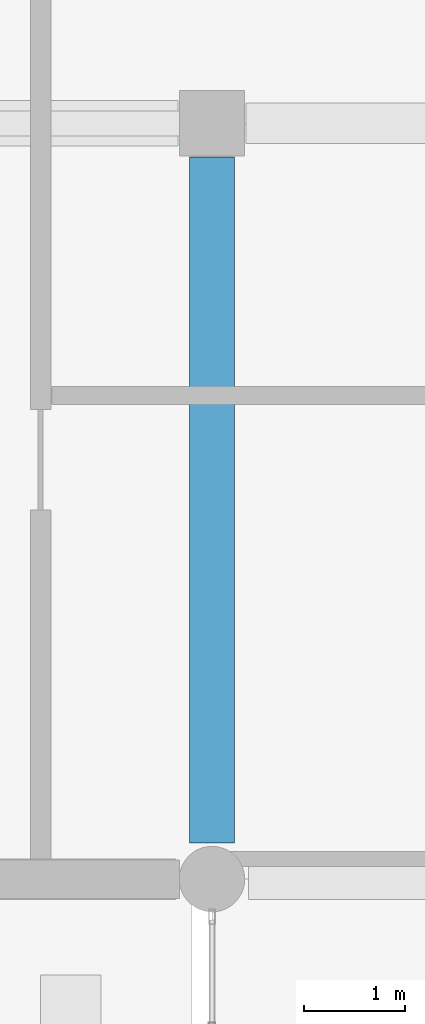
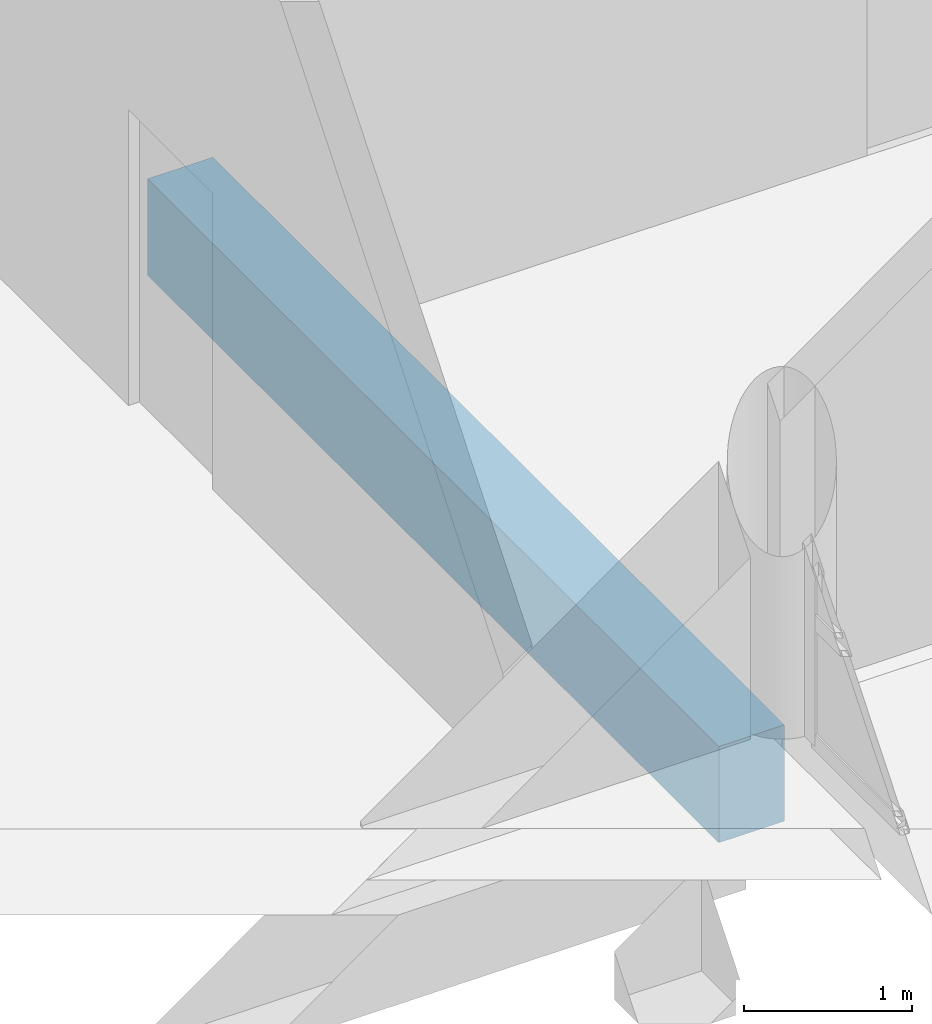
# One storey, part 66 of 173: 1 beam.
"""IFC4 building model written with IfcOpenShell, lengths in metres."""

from ifc_helpers import new_model, si_unit, direction, frame, origin, origin_2d, place, context, subcontext, project, spatial, rectangle, extrude, material, material_profile, profile_set, type_object, element, save


model = new_model("IFC4")

# Units and contexts
model_context = context("Model", 3, precision=1e-05, world=origin(), true_north=direction((0.0, 1.0)))
body_context = subcontext(model_context, "Body", "Model", "MODEL_VIEW")
ifc_project = project(units=[si_unit("LENGTHUNIT", "METRE"), si_unit("AREAUNIT", "SQUARE_METRE"), si_unit("VOLUMEUNIT", "CUBIC_METRE"), si_unit("PLANEANGLEUNIT", "RADIAN"), si_unit("MASSUNIT", "GRAM", prefix="KILO")], contexts=[model_context])

# Site, building, storey
site_placement = place(None, origin())
site = spatial("IfcSite", under=ifc_project, at=site_placement, CompositionType="ELEMENT")
building_placement = place(site_placement, origin())
building = spatial("IfcBuilding", under=site, at=building_placement, Name="Mawjan Specialist Oncology Clinic", CompositionType="ELEMENT")
storey_placement = place(building_placement, origin())
storey = spatial("IfcBuildingStorey", under=building, at=storey_placement, Name="L00", CompositionType="ELEMENT", Elevation=0.0)

# Beam
ifc_material = material(Name="Concrete C40/50", Category="concrete")
ifc_material_profile = material_profile(ifc_material, rectangle(XDim=0.449951171875, YDim=0.699951171875, at=origin_2d()), Name="RC BM 450x700", Category="concrete")
ifc_profile_set = profile_set([ifc_material_profile], Name="Concrete C40/50")
beam_type = type_object("IfcBeamType", Name="BM-450x700", PredefinedType="BEAM", material=ifc_profile_set)
beam_placement = place(storey_placement, frame((60.0, 76.159912109375, -0.77001953125), z_axis=(0.0, 1.0, 0.0), x_axis=(-1.0, 0.0, 0.0)))
element("IfcBeam", 1, at=beam_placement, inside=storey, type_object=beam_type, Name="L00 Collector Beam BM-L00-0132", PredefinedType="BEAM", context=body_context, shape_type="SweptSolid", body=[
    extrude(rectangle(XDim=0.449951171875, YDim=0.699951171875, at=origin_2d()), origin(), (0.0, 0.0, 1.0), 6.80517578125),
])

save(model, "model.ifc")
